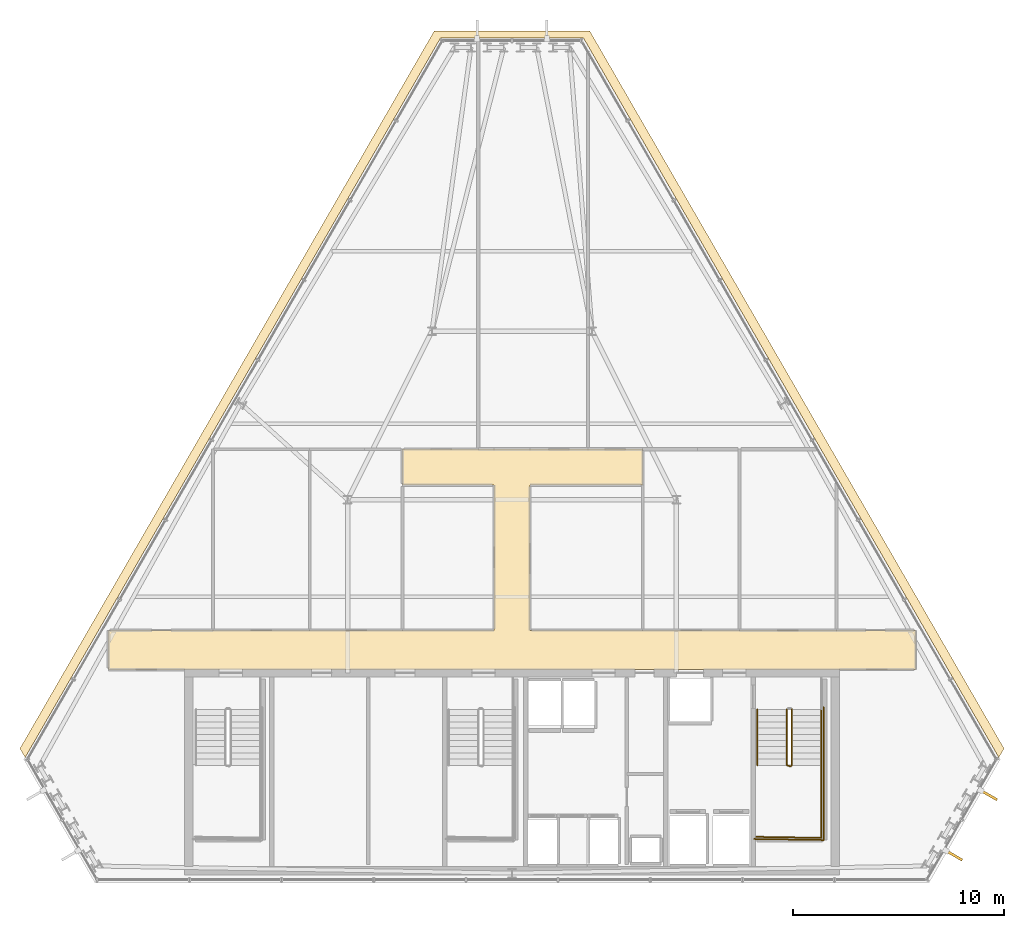
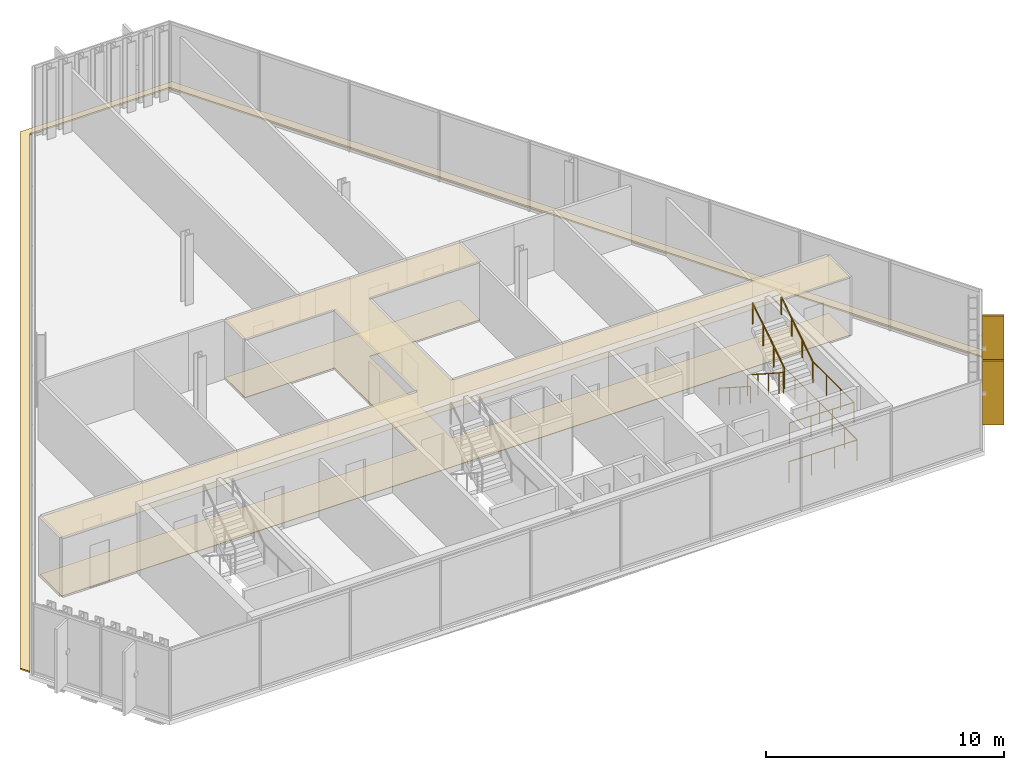
# One storey, part 28 of 29: 6 railings, 3 coverings, 2 shading devices.
"""IFC4 building model written with IfcOpenShell, lengths in metres."""

from ifc_helpers import new_model, si_unit, direction, frame, origin, origin_2d, place, context, subcontext, project, spatial, polyline, rectangle, circle, outline, extrude, material, layer, layer_set, type_object, element, save


model = new_model("IFC4")

# Units and contexts
model_context = context("Model", 3, precision=1e-05, world=origin(), true_north=direction((0.0, 1.0)))
body_context = subcontext(model_context, "Body", "Model", "MODEL_VIEW")
ifc_project = project(units=[si_unit("LENGTHUNIT", "METRE"), si_unit("AREAUNIT", "SQUARE_METRE"), si_unit("VOLUMEUNIT", "CUBIC_METRE"), si_unit("PLANEANGLEUNIT", "RADIAN"), si_unit("MASSUNIT", "GRAM", prefix="KILO")], contexts=[model_context])

# Site, building, storey
site_placement = place(None, origin())
site = spatial("IfcSite", under=ifc_project, at=site_placement, CompositionType="ELEMENT")
building_placement = place(site_placement, origin())
building = spatial("IfcBuilding", under=site, at=building_placement, Name="Ndaravel Arena Tower", CompositionType="ELEMENT")
storey_placement = place(building_placement, frame((0.0, 0.0, 240.800048828125)))
storey = spatial("IfcBuildingStorey", under=building, at=storey_placement, Name="L58", CompositionType="ELEMENT", Elevation=240.800048828125)

# Coverings
ifc_material_1 = material(Name="Acoustic Ceiling Tile", Category="finish")
ifc_layer_1 = layer(ifc_material_1, 0.02490234375)
ifc_layer_set_1 = layer_set([ifc_layer_1], Name="Acoustic Ceiling Tile")
covering_type_1 = type_object("IfcCoveringType", Name="COV-CEIL-AC600", PredefinedType="CEILING", material=ifc_layer_set_1)
covering_1_placement = place(storey_placement, frame((0.0, 0.0, 2.98046875)))
element("IfcCovering", 1, at=covering_1_placement, inside=storey, type_object=covering_type_1, Name="L58 Corridor Acoustic Ceiling", PredefinedType="CEILING", context=body_context, shape_type="SweptSolid", body=[
    extrude(outline(polyline([(61.154052734375, 17.0), (42.85009765625, 17.0), (42.85009765625, 23.89990234375), (48.199951171875, 23.89990234375), (48.199951171875, 25.60009765625), (42.85009765625, 25.60009765625), (41.14990234375, 25.60009765625), (36.800048828125, 25.60009765625), (36.800048828125, 23.89990234375), (41.14990234375, 23.89990234375), (41.14990234375, 17.0), (22.845947265625, 17.0), (22.845947265625, 15.14990234375), (61.154052734375, 15.14990234375), (61.154052734375, 17.0)])), origin(), (0.0, 0.0, 1.0), 0.02490234375),
])
ifc_material_2 = material(Name="Terrazzo", Category="stone")
ifc_layer_2 = layer(ifc_material_2, 0.030029296875)
ifc_layer_set_2 = layer_set([ifc_layer_2], Name="Terrazzo")
covering_type_2 = type_object("IfcCoveringType", Name="COV-FLOOR-TERRAZZO", PredefinedType="FLOORING", material=ifc_layer_set_2)
covering_2_placement = place(storey_placement, origin())
element("IfcCovering", 2, at=covering_2_placement, inside=storey, type_object=covering_type_2, Name="L58 Corridor Terrazzo Flooring", PredefinedType="FLOORING", context=body_context, shape_type="SweptSolid", body=[
    extrude(outline(polyline([(61.154052734375, 17.0), (42.85009765625, 17.0), (42.85009765625, 23.89990234375), (48.199951171875, 23.89990234375), (48.199951171875, 25.60009765625), (42.85009765625, 25.60009765625), (41.14990234375, 25.60009765625), (36.800048828125, 25.60009765625), (36.800048828125, 23.89990234375), (41.14990234375, 23.89990234375), (41.14990234375, 17.0), (22.845947265625, 17.0), (22.845947265625, 15.14990234375), (61.154052734375, 15.14990234375), (61.154052734375, 17.0)])), origin(), (0.0, 0.0, 1.0), 0.030029296875),
])
ifc_material_3 = material(Name="Roofing Membrane", Category="finish")
ifc_layer_3 = layer(ifc_material_3, 0.080078125)
ifc_layer_set_3 = layer_set([ifc_layer_3], Name="Roofing Membrane")
covering_type_3 = type_object("IfcCoveringType", Name="COV-ROOF-MEMB", PredefinedType="ROOFING", material=ifc_layer_set_3)
covering_3_placement = place(storey_placement, origin())
element("IfcCovering", 3, at=covering_3_placement, inside=storey, type_object=covering_type_3, Name="L58 Facet Setback Weathering Flashing", PredefinedType="ROOFING", context=body_context, shape_type="SweptSolid", body=[
    extrude(outline(polyline([(18.64697265625, 11.39501953125), (38.307861328125, 45.448974609375), (45.692138671875, 45.448974609375), (65.35302734375, 11.39501953125), (65.107177734375, 10.968994140625), (45.384521484375, 45.129638671875), (38.615478515625, 45.129638671875), (18.892822265625, 10.968994140625), (18.64697265625, 11.39501953125)])), origin(), (0.0, 0.0, 1.0), 0.079833984375),
])

# Railings
ifc_material_4 = material(Name="Steel S355", Category="steel")
ifc_layer_4 = layer(ifc_material_4, 0.06005859375)
ifc_layer_set_4 = layer_set([ifc_layer_4], Name="Steel S355")
railing_type_1 = type_object("IfcRailingType", Name="RAIL-STAIR-GD1100", PredefinedType="GUARDRAIL", material=ifc_layer_set_4)
railing_1_placement = place(storey_placement, frame((55.050048828125, 13.25, 0.18994140625)))
element("IfcRailing", 4, at=railing_1_placement, inside=storey, type_object=railing_type_1, Name="L58 ST-3 stair guard 1", PredefinedType="GUARDRAIL", context=body_context, shape_type="SweptSolid", body=[
    extrude(circle(Radius=0.02392578125, at=origin_2d()), frame((0.0, 0.0, 1.076171875), z_axis=(0.0, -0.840723540582, 0.54146461409), x_axis=(1.0, 0.0, 0.0)), (0.0, 0.0, 1.0), 3.157958984375),
    extrude(circle(Radius=0.02392578125, at=origin_2d()), frame((0.0, -2.655029296875, 2.7861328125), z_axis=(0.966993988697, -0.254799187253, 0.0), x_axis=(0.254799187253, 0.966993988697, 0.0)), (0.0, 0.0, 1.0), 0.196533203125),
    extrude(circle(Radius=0.02099609375, at=origin_2d()), origin(), (0.0, 0.0, 1.0), 1.052001953125),
    extrude(circle(Radius=0.02099609375, at=origin_2d()), frame((0.0, -0.885009765625, 0.570068359375)), (0.0, 0.0, 1.0), 1.052001953125),
    extrude(circle(Radius=0.02099609375, at=origin_2d()), frame((0.0, -1.77001953125, 1.139892578125)), (0.0, 0.0, 1.0), 1.052001953125),
    extrude(circle(Radius=0.02099609375, at=origin_2d()), frame((0.0, -2.655029296875, 1.7099609375)), (0.0, 0.0, 1.0), 1.052001953125),
    extrude(circle(Radius=0.02099609375, at=origin_2d()), frame((0.18994140625, -2.705078125, 1.7099609375)), (0.0, 0.0, 1.0), 1.052001953125),
])
railing_2_placement = place(storey_placement, frame((56.68994140625, 10.594970703125, 1.89990234375)))
element("IfcRailing", 5, at=railing_2_placement, inside=storey, type_object=railing_type_1, Name="L58 ST-3 stair guard 2", PredefinedType="GUARDRAIL", context=body_context, shape_type="SweptSolid", body=[
    extrude(circle(Radius=0.02392578125, at=origin_2d()), frame((0.0, 0.0, 1.076171875), z_axis=(0.0, -1.0, 0.0), x_axis=(1.0, 0.0, 0.0)), (0.0, 0.0, 1.0), 3.445068359375),
    extrude(circle(Radius=0.02392578125, at=origin_2d()), frame((0.0, -3.445068359375, 1.076171875), z_axis=(-0.999868840623, 0.016195726322, 0.0), x_axis=(-0.016195726322, -0.999868840623, 0.0)), (0.0, 0.0, 1.0), 3.09033203125),
    extrude(circle(Radius=0.02099609375, at=origin_2d()), origin(), (0.0, 0.0, 1.0), 1.052001953125),
    extrude(circle(Radius=0.02099609375, at=origin_2d()), frame((0.0, -1.1484375, 0.0)), (0.0, 0.0, 1.0), 1.052001953125),
    extrude(circle(Radius=0.02099609375, at=origin_2d()), frame((0.0, -2.296630859375, 0.0)), (0.0, 0.0, 1.0), 1.052001953125),
    extrude(circle(Radius=0.02099609375, at=origin_2d()), frame((0.0, -3.445068359375, 0.0)), (0.0, 0.0, 1.0), 1.052001953125),
    extrude(circle(Radius=0.02099609375, at=origin_2d()), frame((-1.030029296875, -3.428466796875, 0.0)), (0.0, 0.0, 1.0), 1.052001953125),
    extrude(circle(Radius=0.02099609375, at=origin_2d()), frame((-2.059814453125, -3.41162109375, 0.0)), (0.0, 0.0, 1.0), 1.052001953125),
    extrude(circle(Radius=0.02099609375, at=origin_2d()), frame((-3.08984375, -3.39501953125, 0.0)), (0.0, 0.0, 1.0), 1.052001953125),
])
railing_3_placement = place(storey_placement, frame((55.2900390625, 10.594970703125, 2.08984375)))
element("IfcRailing", 6, at=railing_3_placement, inside=storey, type_object=railing_type_1, Name="L58 ST-3 stair guard 3", PredefinedType="GUARDRAIL", context=body_context, shape_type="SweptSolid", body=[
    extrude(circle(Radius=0.02392578125, at=origin_2d()), frame((0.0, 0.0, 1.076171875), z_axis=(0.0, 0.840688348013, 0.541519253134), x_axis=(-1.0, 0.0, 0.0)), (0.0, 0.0, 1.0), 3.158203125),
    extrude(circle(Radius=0.02099609375, at=origin_2d()), origin(), (0.0, 0.0, 1.0), 1.052001953125),
    extrude(circle(Radius=0.02099609375, at=origin_2d()), frame((0.0, 0.885009765625, 0.570068359375)), (0.0, 0.0, 1.0), 1.052001953125),
    extrude(circle(Radius=0.02099609375, at=origin_2d()), frame((0.0, 1.77001953125, 1.14013671875)), (0.0, 0.0, 1.0), 1.052001953125),
    extrude(circle(Radius=0.02099609375, at=origin_2d()), frame((0.0, 2.655029296875, 1.710205078125)), (0.0, 0.0, 1.0), 1.052001953125),
])
railing_4_placement = place(storey_placement, frame((56.7900390625, 13.35009765625, 0.0)))
element("IfcRailing", 7, at=railing_4_placement, inside=storey, type_object=railing_type_1, Name="L58 ST-3 stair guard 6", PredefinedType="GUARDRAIL", context=body_context, shape_type="SweptSolid", body=[
    extrude(circle(Radius=0.02392578125, at=origin_2d()), frame((0.0, 0.0, 1.076171875), z_axis=(0.0, -1.0, 0.0), x_axis=(1.0, 0.0, 0.0)), (0.0, 0.0, 1.0), 6.300048828125),
    extrude(circle(Radius=0.02392578125, at=origin_2d()), frame((0.0, -6.300048828125, 1.076171875), z_axis=(-0.99988431412, 0.015210469308, 0.0), x_axis=(-0.015210469308, -0.99988431412, 0.0)), (0.0, 0.0, 1.0), 3.29052734375),
    extrude(circle(Radius=0.02099609375, at=origin_2d()), origin(), (0.0, 0.0, 1.0), 1.052001953125),
    extrude(circle(Radius=0.02099609375, at=origin_2d()), frame((0.0, -1.050048828125, 0.0)), (0.0, 0.0, 1.0), 1.052001953125),
    extrude(circle(Radius=0.02099609375, at=origin_2d()), frame((0.0, -2.10009765625, 0.0)), (0.0, 0.0, 1.0), 1.052001953125),
    extrude(circle(Radius=0.02099609375, at=origin_2d()), frame((0.0, -3.14990234375, 0.0)), (0.0, 0.0, 1.0), 1.052001953125),
    extrude(circle(Radius=0.02099609375, at=origin_2d()), frame((0.0, -4.199951171875, 0.0)), (0.0, 0.0, 1.0), 1.052001953125),
    extrude(circle(Radius=0.02099609375, at=origin_2d()), frame((0.0, -5.25, 0.0)), (0.0, 0.0, 1.0), 1.052001953125),
    extrude(circle(Radius=0.02099609375, at=origin_2d()), frame((0.0, -6.300048828125, 0.0)), (0.0, 0.0, 1.0), 1.052001953125),
    extrude(circle(Radius=0.02099609375, at=origin_2d()), frame((-1.0966796875, -6.283447265625, 0.0)), (0.0, 0.0, 1.0), 1.052001953125),
    extrude(circle(Radius=0.02099609375, at=origin_2d()), frame((-2.193359375, -6.2666015625, 0.0)), (0.0, 0.0, 1.0), 1.052001953125),
    extrude(circle(Radius=0.02099609375, at=origin_2d()), frame((-3.2900390625, -6.25, 0.0)), (0.0, 0.0, 1.0), 1.052001953125),
])
ifc_material_5 = material(Name="Steel S355", Category="steel")
ifc_layer_5 = layer(ifc_material_5, 0.050048828125)
ifc_layer_set_5 = layer_set([ifc_layer_5], Name="Steel S355")
railing_type_2 = type_object("IfcRailingType", Name="RAIL-STAIR-HR920", PredefinedType="HANDRAIL", material=ifc_layer_set_5)
railing_5_placement = place(storey_placement, frame((53.64990234375, 13.25, 0.18994140625)))
element("IfcRailing", 8, at=railing_5_placement, inside=storey, type_object=railing_type_2, Name="L58 ST-3 stair handrail 1", PredefinedType="HANDRAIL", context=body_context, shape_type="SweptSolid", body=[
    extrude(circle(Radius=0.02392578125, at=origin_2d()), frame((0.0, 0.0, 0.8759765625), z_axis=(0.0, -0.840723540582, 0.54146461409), x_axis=(1.0, 0.0, 0.0)), (0.0, 0.0, 1.0), 3.157958984375),
    extrude(circle(Radius=0.02099609375, at=origin_2d()), origin(), (0.0, 0.0, 1.0), 0.851806640625),
    extrude(circle(Radius=0.02099609375, at=origin_2d()), frame((0.0, -0.885009765625, 0.570068359375)), (0.0, 0.0, 1.0), 0.851806640625),
    extrude(circle(Radius=0.02099609375, at=origin_2d()), frame((0.0, -1.77001953125, 1.139892578125)), (0.0, 0.0, 1.0), 0.851806640625),
    extrude(circle(Radius=0.02099609375, at=origin_2d()), frame((0.0, -2.655029296875, 1.7099609375)), (0.0, 0.0, 1.0), 0.851806640625),
])
railing_6_placement = place(storey_placement, frame((56.68994140625, 10.594970703125, 2.08984375)))
element("IfcRailing", 9, at=railing_6_placement, inside=storey, type_object=railing_type_2, Name="L58 ST-3 stair handrail 2", PredefinedType="HANDRAIL", context=body_context, shape_type="SweptSolid", body=[
    extrude(circle(Radius=0.02392578125, at=origin_2d()), frame((0.0, 0.0, 0.8759765625), z_axis=(0.0, 0.840688348013, 0.541519253134), x_axis=(-1.0, 0.0, 0.0)), (0.0, 0.0, 1.0), 3.158203125),
    extrude(circle(Radius=0.02099609375, at=origin_2d()), origin(), (0.0, 0.0, 1.0), 0.851806640625),
    extrude(circle(Radius=0.02099609375, at=origin_2d()), frame((0.0, 0.885009765625, 0.570068359375)), (0.0, 0.0, 1.0), 0.851806640625),
    extrude(circle(Radius=0.02099609375, at=origin_2d()), frame((0.0, 1.77001953125, 1.14013671875)), (0.0, 0.0, 1.0), 0.851806640625),
    extrude(circle(Radius=0.02099609375, at=origin_2d()), frame((0.0, 2.655029296875, 1.710205078125)), (0.0, 0.0, 1.0), 0.851806640625),
])

# Shading devices
ifc_material_6 = material(Name="Masonry", Category="masonry")
shading_device_type = type_object("IfcShadingDeviceType", Name="SHD-MAZERAS-FIN", PredefinedType="SHUTTER", material=ifc_material_6)
for number, where, z_axis, x_axis, name in (
    (10, (62.98046875, 6.323486328125, 0.14990234375), (0.0, 0.0, 1.0), (0.866025403784, -0.5, 0.0), "L58 Mazeras Stone Solar Fin E2.1"),
    (11, (64.632080078125, 9.1845703125, 0.14990234375), (0.0, 0.0, 1.0), (0.866025403784, -0.5, 0.0), "L58 Mazeras Stone Solar Fin E2.2"),
):
    element("IfcShadingDevice", number, at=place(storey_placement, frame(where, z_axis=z_axis, x_axis=x_axis)), inside=storey, type_object=shading_device_type, Name=name, PredefinedType="SHUTTER", context=body_context, shape_type="SweptSolid", body=[
        extrude(rectangle(XDim=0.89990234375, YDim=0.1201171875, at=origin_2d()), origin(), (0.0, 0.0, 1.0), 3.280029296875),
    ])

save(model, "model.ifc")
